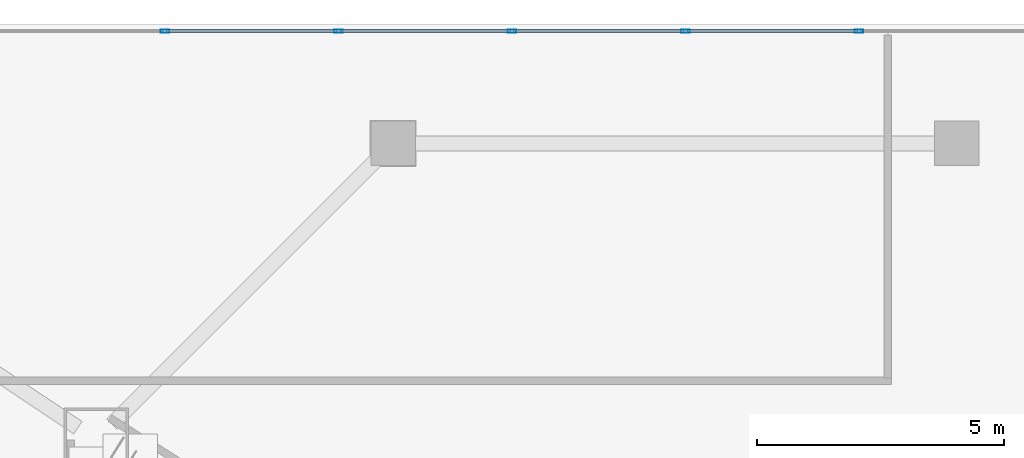
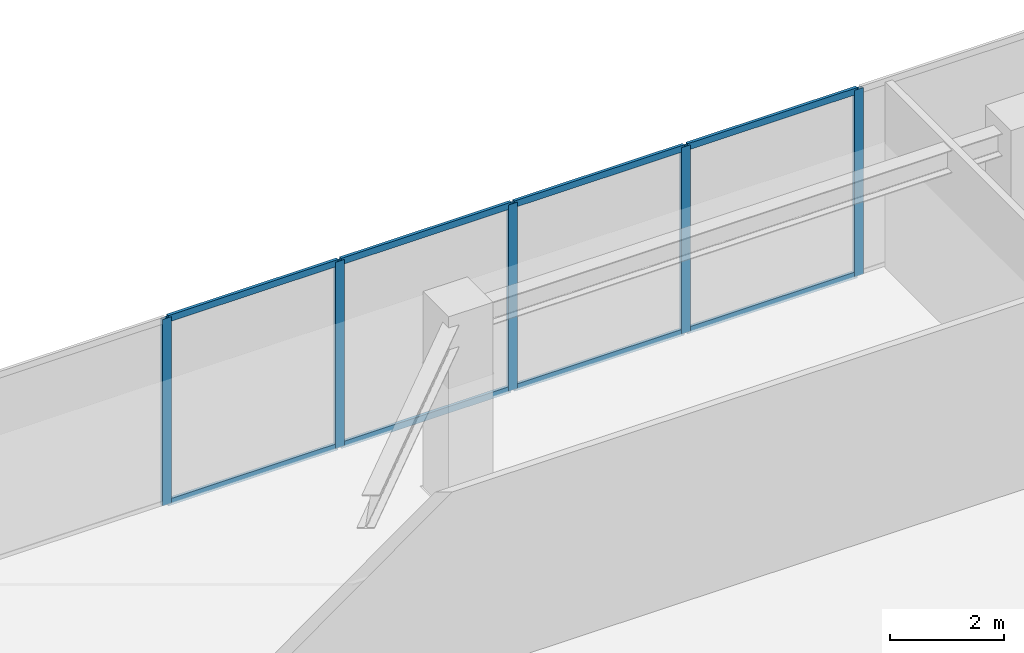
# One storey, part 17 of 39: 13 members, 1 element without a shape of its own.
"""IFC4 building model written with IfcOpenShell, lengths in metres."""

from ifc_helpers import new_model, si_unit, direction, frame, origin, origin_2d, place, context, subcontext, project, spatial, hollow_rectangle, extrude, material, layer, layer_set, material_profile, profile_set, type_object, element, aggregate, save


model = new_model("IFC4")

# Units and contexts
model_context = context("Model", 3, precision=1e-05, world=origin(), true_north=direction((0.0, 1.0)))
body_context = subcontext(model_context, "Body", "Model", "MODEL_VIEW")
ifc_project = project(units=[si_unit("LENGTHUNIT", "METRE"), si_unit("AREAUNIT", "SQUARE_METRE"), si_unit("VOLUMEUNIT", "CUBIC_METRE"), si_unit("PLANEANGLEUNIT", "RADIAN"), si_unit("MASSUNIT", "GRAM", prefix="KILO")], contexts=[model_context])

# Site, building, storey
site_placement = place(None, origin())
site = spatial("IfcSite", under=ifc_project, at=site_placement, CompositionType="ELEMENT")
building_placement = place(site_placement, origin())
building = spatial("IfcBuilding", under=site, at=building_placement, Name="Haolan Belvedere Tower", CompositionType="ELEMENT")
storey_placement = place(building_placement, frame((0.0, 0.0, 19.800048828125)))
storey = spatial("IfcBuildingStorey", under=building, at=storey_placement, Name="L04", CompositionType="ELEMENT", Elevation=19.800048828125)

# Curtain wall, members
ifc_material_1 = material(Name="Anodised champagne-silver aluminium 6063-T6 and Low-E glass", Category="aluminium")
ifc_layer = layer(ifc_material_1, 0.179931640625, Name="Anodised champagne-silver aluminium 6063-T6 and Low-E glass")
ifc_layer_set = layer_set([ifc_layer], Name="Anodised champagne-silver aluminium 6063-T6 and Low-E glass")
curtain_wall_type = type_object("IfcCurtainWallType", Name="CW-SYS-01", PredefinedType="NOTDEFINED", material=ifc_layer_set)
curtain_wall_placement = place(storey_placement, origin())
curtain_wall = element("IfcCurtainWall", 1, at=curtain_wall_placement, inside=storey, type_object=curtain_wall_type, Name="L04 CW-SYS-01 ribbon curtain wall 3.1", PredefinedType="NOTDEFINED")
ifc_material_2 = material(Name="Anodised aluminium 6063-T6", Category="aluminium")
ifc_material_profile_1 = material_profile(ifc_material_2, hollow_rectangle(XDim=0.06494140625, YDim=0.179931640625, WallThickness=0.00390625, at=origin_2d()), Name="Anodised aluminium 6063-T6")
ifc_profile_set_1 = profile_set([ifc_material_profile_1], Name="Anodised aluminium 6063-T6")
member_type_1 = type_object("IfcMemberType", Name="CW-SYS-01-MUL", PredefinedType="MULLION", material=ifc_profile_set_1)
member_1_placement = place(storey_placement, frame((68.2216796875, 53.8701171875, 0.0), z_axis=(0.0, 0.0, 1.0), x_axis=(0.0, -1.0, 0.0)))
member_1 = element("IfcMember", 2, at=member_1_placement, type_object=member_type_1, Name="CW-01 mullion 2", PredefinedType="MULLION", context=body_context, shape_type="SweptSolid", body=[
    extrude(hollow_rectangle(XDim=0.06494140625, YDim=0.179931640625, WallThickness=0.00390625, at=origin_2d()), origin(), (0.0, 0.0, 1.0), 4.0),
])
member_2_placement = place(storey_placement, frame((64.713134765625, 53.8701171875, 0.0), z_axis=(0.0, 0.0, 1.0), x_axis=(0.0, -1.0, 0.0)))
member_2 = element("IfcMember", 3, at=member_2_placement, type_object=member_type_1, Name="CW-01 mullion 3", PredefinedType="MULLION", context=body_context, shape_type="SweptSolid", body=[
    extrude(hollow_rectangle(XDim=0.06494140625, YDim=0.179931640625, WallThickness=0.00390625, at=origin_2d()), origin(), (0.0, 0.0, 1.0), 4.0),
])
member_3_placement = place(storey_placement, frame((61.204833984375, 53.8701171875, 0.0), z_axis=(0.0, 0.0, 1.0), x_axis=(0.0, -1.0, 0.0)))
member_3 = element("IfcMember", 4, at=member_3_placement, type_object=member_type_1, Name="CW-01 mullion 4", PredefinedType="MULLION", context=body_context, shape_type="SweptSolid", body=[
    extrude(hollow_rectangle(XDim=0.06494140625, YDim=0.179931640625, WallThickness=0.00390625, at=origin_2d()), origin(), (0.0, 0.0, 1.0), 4.0),
])
member_4_placement = place(storey_placement, frame((57.6962890625, 53.8701171875, 0.0), z_axis=(0.0, 0.0, 1.0), x_axis=(0.0, -1.0, 0.0)))
member_4 = element("IfcMember", 5, at=member_4_placement, type_object=member_type_1, Name="CW-01 mullion 5", PredefinedType="MULLION", context=body_context, shape_type="SweptSolid", body=[
    extrude(hollow_rectangle(XDim=0.06494140625, YDim=0.179931640625, WallThickness=0.00390625, at=origin_2d()), origin(), (0.0, 0.0, 1.0), 4.0),
])
member_5_placement = place(storey_placement, frame((54.18798828125, 53.8701171875, 0.0), z_axis=(0.0, 0.0, 1.0), x_axis=(0.0, -1.0, 0.0)))
member_5 = element("IfcMember", 6, at=member_5_placement, type_object=member_type_1, Name="CW-01 mullion 6", PredefinedType="MULLION", context=body_context, shape_type="SweptSolid", body=[
    extrude(hollow_rectangle(XDim=0.06494140625, YDim=0.179931640625, WallThickness=0.00390625, at=origin_2d()), origin(), (0.0, 0.0, 1.0), 4.0),
])
ifc_material_profile_2 = material_profile(ifc_material_2, hollow_rectangle(XDim=0.06005859375, YDim=0.139892578125, WallThickness=0.00390625, at=origin_2d()), Name="Anodised aluminium 6063-T6")
ifc_profile_set_2 = profile_set([ifc_material_profile_2], Name="Anodised aluminium 6063-T6")
member_type_2 = type_object("IfcMemberType", Name="CW-SYS-01-TRN", PredefinedType="USERDEFINED", material=ifc_profile_set_2)
member_6_placement = place(storey_placement, frame((68.18896484375, 53.8701171875, 0.030029296875), z_axis=(-1.0, 0.0, 0.0), x_axis=(0.0, -1.0, 0.0)))
member_6 = element("IfcMember", 7, at=member_6_placement, type_object=member_type_2, Name="CW-01 transom 2.1", ObjectType="TRANSOM", PredefinedType="USERDEFINED", context=body_context, shape_type="SweptSolid", body=[
    extrude(hollow_rectangle(XDim=0.06005859375, YDim=0.139892578125, WallThickness=0.00390625, at=origin_2d()), origin(), (0.0, 0.0, 1.0), 3.443359375),
])
member_7_placement = place(storey_placement, frame((68.18896484375, 53.8701171875, 3.969970703125), z_axis=(-1.0, 0.0, 0.0), x_axis=(0.0, -1.0, 0.0)))
member_7 = element("IfcMember", 8, at=member_7_placement, type_object=member_type_2, Name="CW-01 transom 2.2", ObjectType="TRANSOM", PredefinedType="USERDEFINED", context=body_context, shape_type="SweptSolid", body=[
    extrude(hollow_rectangle(XDim=0.06005859375, YDim=0.139892578125, WallThickness=0.00390625, at=origin_2d()), origin(), (0.0, 0.0, 1.0), 3.443359375),
])
member_8_placement = place(storey_placement, frame((64.6806640625, 53.8701171875, 0.030029296875), z_axis=(-1.0, 0.0, 0.0), x_axis=(0.0, -1.0, 0.0)))
member_8 = element("IfcMember", 9, at=member_8_placement, type_object=member_type_2, Name="CW-01 transom 3.1", ObjectType="TRANSOM", PredefinedType="USERDEFINED", context=body_context, shape_type="SweptSolid", body=[
    extrude(hollow_rectangle(XDim=0.06005859375, YDim=0.139892578125, WallThickness=0.00390625, at=origin_2d()), origin(), (0.0, 0.0, 1.0), 3.443359375),
])
member_9_placement = place(storey_placement, frame((64.6806640625, 53.8701171875, 3.969970703125), z_axis=(-1.0, 0.0, 0.0), x_axis=(0.0, -1.0, 0.0)))
member_9 = element("IfcMember", 10, at=member_9_placement, type_object=member_type_2, Name="CW-01 transom 3.2", ObjectType="TRANSOM", PredefinedType="USERDEFINED", context=body_context, shape_type="SweptSolid", body=[
    extrude(hollow_rectangle(XDim=0.06005859375, YDim=0.139892578125, WallThickness=0.00390625, at=origin_2d()), origin(), (0.0, 0.0, 1.0), 3.443359375),
])
member_10_placement = place(storey_placement, frame((61.172119140625, 53.8701171875, 0.030029296875), z_axis=(-1.0, 0.0, 0.0), x_axis=(0.0, -1.0, 0.0)))
member_10 = element("IfcMember", 11, at=member_10_placement, type_object=member_type_2, Name="CW-01 transom 4.1", ObjectType="TRANSOM", PredefinedType="USERDEFINED", context=body_context, shape_type="SweptSolid", body=[
    extrude(hollow_rectangle(XDim=0.06005859375, YDim=0.139892578125, WallThickness=0.00390625, at=origin_2d()), origin(), (0.0, 0.0, 1.0), 3.443359375),
])
member_11_placement = place(storey_placement, frame((61.172119140625, 53.8701171875, 3.969970703125), z_axis=(-1.0, 0.0, 0.0), x_axis=(0.0, -1.0, 0.0)))
member_11 = element("IfcMember", 12, at=member_11_placement, type_object=member_type_2, Name="CW-01 transom 4.2", ObjectType="TRANSOM", PredefinedType="USERDEFINED", context=body_context, shape_type="SweptSolid", body=[
    extrude(hollow_rectangle(XDim=0.06005859375, YDim=0.139892578125, WallThickness=0.00390625, at=origin_2d()), origin(), (0.0, 0.0, 1.0), 3.443359375),
])
member_12_placement = place(storey_placement, frame((57.663818359375, 53.8701171875, 0.030029296875), z_axis=(-1.0, 0.0, 0.0), x_axis=(0.0, -1.0, 0.0)))
member_12 = element("IfcMember", 13, at=member_12_placement, type_object=member_type_2, Name="CW-01 transom 5.1", ObjectType="TRANSOM", PredefinedType="USERDEFINED", context=body_context, shape_type="SweptSolid", body=[
    extrude(hollow_rectangle(XDim=0.06005859375, YDim=0.139892578125, WallThickness=0.00390625, at=origin_2d()), origin(), (0.0, 0.0, 1.0), 3.443359375),
])
member_13_placement = place(storey_placement, frame((57.663818359375, 53.8701171875, 3.969970703125), z_axis=(-1.0, 0.0, 0.0), x_axis=(0.0, -1.0, 0.0)))
member_13 = element("IfcMember", 14, at=member_13_placement, type_object=member_type_2, Name="CW-01 transom 5.2", ObjectType="TRANSOM", PredefinedType="USERDEFINED", context=body_context, shape_type="SweptSolid", body=[
    extrude(hollow_rectangle(XDim=0.06005859375, YDim=0.139892578125, WallThickness=0.00390625, at=origin_2d()), origin(), (0.0, 0.0, 1.0), 3.443359375),
])
aggregate(curtain_wall, [member_1, member_2, member_3, member_4, member_5, member_6, member_7, member_8, member_9, member_10, member_11, member_12, member_13])

save(model, "model.ifc")
